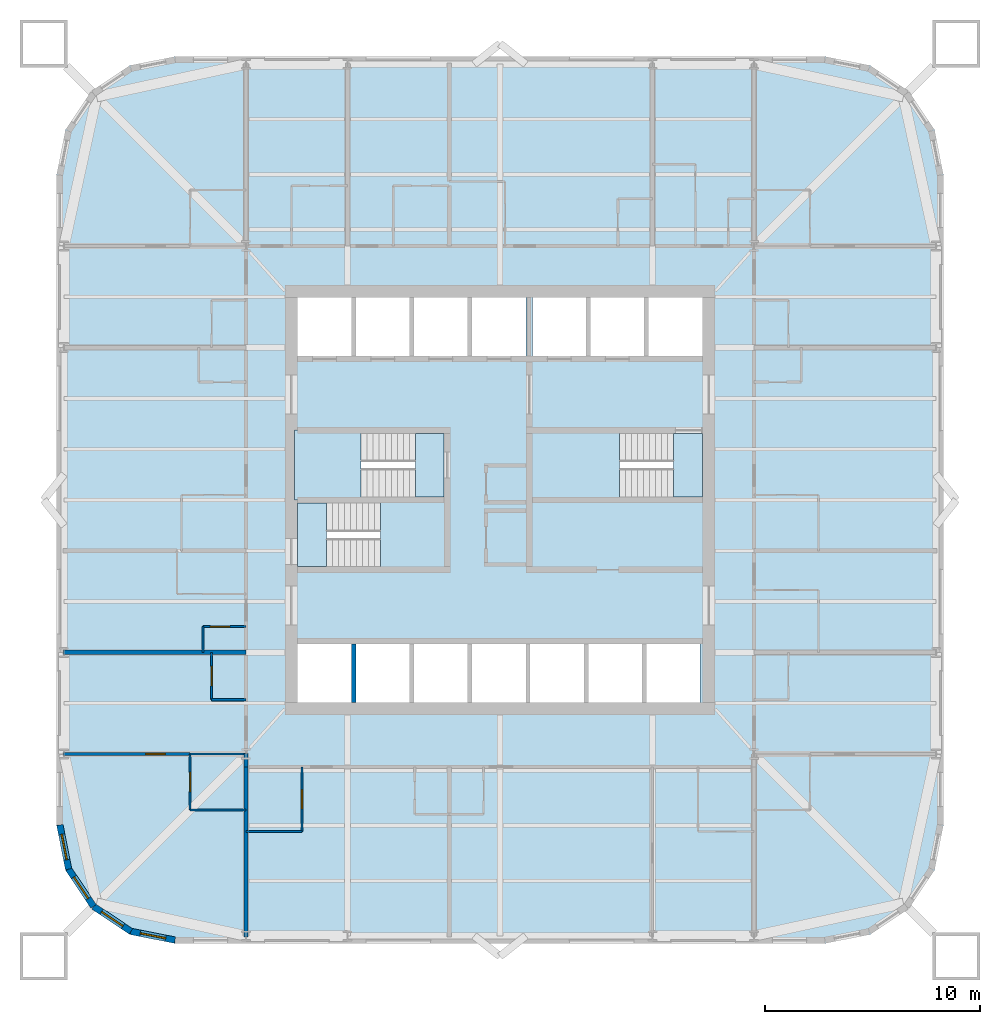
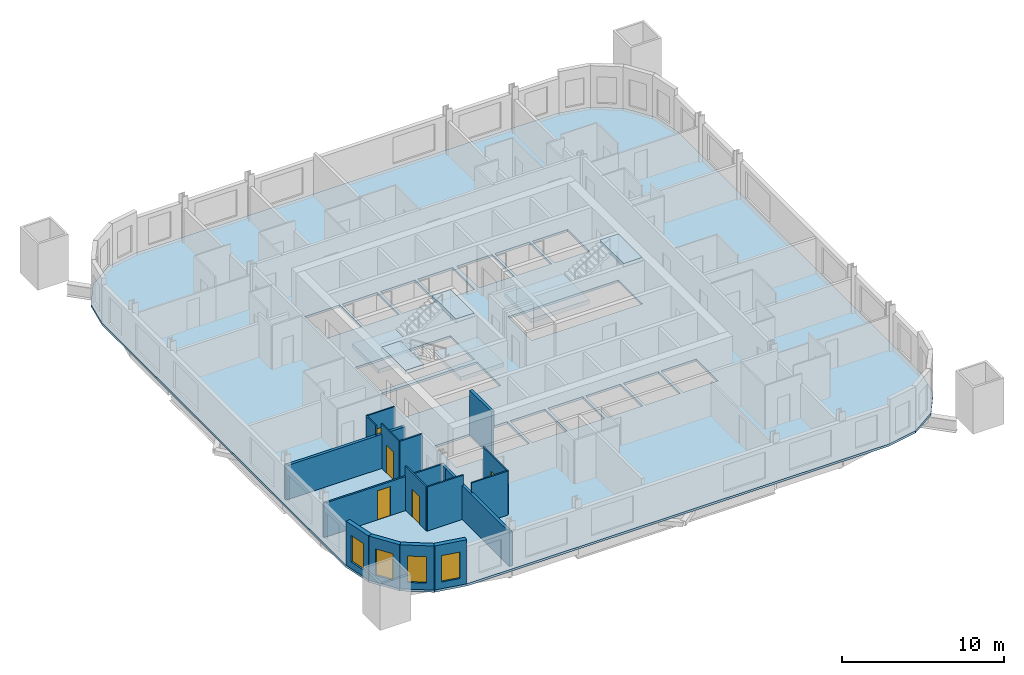
# One storey, part 2 of 9: 18 walls, 7 slabs, 5 doors, 4 windows, 9 openings, 3 elements without a shape of their own.
"""IFC4 building model written with IfcOpenShell, lengths in metres."""

from ifc_helpers import new_model, si_unit, direction, frame, frame_2d, origin, place, context, subcontext, project, spatial, polyline, rectangle, outline, extrude, material, layer, layer_set, type_object, element, fill, aggregate, save


model = new_model("IFC4")

# Units and contexts
model_context = context("Model", 3, precision=1e-05, world=origin(), true_north=direction((0.0, 1.0)))
body_context = subcontext(model_context, "Body", "Model", "MODEL_VIEW")
ifc_project = project(units=[si_unit("LENGTHUNIT", "METRE"), si_unit("AREAUNIT", "SQUARE_METRE"), si_unit("VOLUMEUNIT", "CUBIC_METRE"), si_unit("PLANEANGLEUNIT", "RADIAN"), si_unit("MASSUNIT", "GRAM", prefix="KILO")], contexts=[model_context])

# Site, building, storey
site_placement = place(None, origin())
site = spatial("IfcSite", under=ifc_project, at=site_placement, CompositionType="ELEMENT")
building_placement = place(site_placement, origin())
building = spatial("IfcBuilding", under=site, at=building_placement, Name="Turquesa Mirador Hotel Tower", CompositionType="ELEMENT")
storey_placement = place(building_placement, frame((0.0, 0.0, 124.89990234375)))
storey = spatial("IfcBuildingStorey", under=building, at=storey_placement, Name="L33", CompositionType="ELEMENT", Elevation=124.89990234375)

# Slab
ifc_material_1 = material(Name="Concrete C28/35", Category="concrete")
ifc_layer_1 = layer(ifc_material_1, 0.169921875)
ifc_layer_set_1 = layer_set([ifc_layer_1], Name="COMPOSITE FLOOR SLAB 170")
slab_type_1 = type_object("IfcSlabType", Name="COMPOSITE FLOOR SLAB 170", PredefinedType="FLOOR", material=ifc_layer_set_1)
slab_1_placement = place(storey_placement, frame((0.0, 0.0, -0.169921875)))
element("IfcSlab", 1, at=slab_1_placement, inside=storey, type_object=slab_type_1, Name="Floor slab L33", PredefinedType="FLOOR", context=body_context, shape_type="SweptSolid", body=[
    extrude(outline(polyline([(70.10009765625, 24.39990234375), (72.204833984375, 24.818603515625), (73.989013671875, 26.010986328125), (75.181396484375, 27.795166015625), (75.60009765625, 29.89990234375), (75.60009765625, 60.10009765625), (75.181396484375, 62.204833984375), (73.989013671875, 63.989013671875), (72.204833984375, 65.181396484375), (70.10009765625, 65.60009765625), (39.89990234375, 65.60009765625), (37.795166015625, 65.181396484375), (36.010986328125, 63.989013671875), (34.818603515625, 62.204833984375), (34.39990234375, 60.10009765625), (34.39990234375, 29.89990234375), (34.818603515625, 27.795166015625), (36.010986328125, 26.010986328125), (37.795166015625, 24.818603515625), (39.89990234375, 24.39990234375), (70.10009765625, 24.39990234375)]), holes=[polyline([(45.60009765625, 51.699951171875), (48.10009765625, 51.699951171875), (48.10009765625, 54.39990234375), (45.60009765625, 54.39990234375), (45.60009765625, 51.699951171875)]), polyline([(48.300048828125, 51.699951171875), (50.800048828125, 51.699951171875), (50.800048828125, 54.39990234375), (48.300048828125, 54.39990234375), (48.300048828125, 51.699951171875)]), polyline([(51.0, 51.699951171875), (53.5, 51.699951171875), (53.5, 54.39990234375), (51.0, 54.39990234375), (51.0, 51.699951171875)]), polyline([(53.699951171875, 51.699951171875), (56.199951171875, 51.699951171875), (56.199951171875, 54.39990234375), (53.699951171875, 54.39990234375), (53.699951171875, 51.699951171875)]), polyline([(56.5, 51.699951171875), (59.0, 51.699951171875), (59.0, 54.39990234375), (56.5, 54.39990234375), (56.5, 51.699951171875)]), polyline([(59.199951171875, 51.699951171875), (61.699951171875, 51.699951171875), (61.699951171875, 54.39990234375), (59.199951171875, 54.39990234375), (59.199951171875, 51.699951171875)]), polyline([(45.60009765625, 35.60009765625), (48.10009765625, 35.60009765625), (48.10009765625, 38.300048828125), (45.60009765625, 38.300048828125), (45.60009765625, 35.60009765625)]), polyline([(48.300048828125, 35.60009765625), (50.800048828125, 35.60009765625), (50.800048828125, 38.300048828125), (48.300048828125, 38.300048828125), (48.300048828125, 35.60009765625)]), polyline([(51.0, 35.60009765625), (53.5, 35.60009765625), (53.5, 38.300048828125), (51.0, 38.300048828125), (51.0, 35.60009765625)]), polyline([(53.699951171875, 35.60009765625), (56.199951171875, 35.60009765625), (56.199951171875, 38.300048828125), (53.699951171875, 38.300048828125), (53.699951171875, 35.60009765625)]), polyline([(56.39990234375, 35.60009765625), (58.89990234375, 35.60009765625), (58.89990234375, 38.300048828125), (56.39990234375, 38.300048828125), (56.39990234375, 35.60009765625)]), polyline([(59.10009765625, 35.60009765625), (61.60009765625, 35.60009765625), (61.60009765625, 38.300048828125), (59.10009765625, 38.300048828125), (59.10009765625, 35.60009765625)]), polyline([(61.800048828125, 35.60009765625), (64.300048828125, 35.60009765625), (64.300048828125, 38.300048828125), (61.800048828125, 38.300048828125), (61.800048828125, 35.60009765625)]), polyline([(45.60009765625, 45.14990234375), (52.39990234375, 45.14990234375), (52.39990234375, 48.10009765625), (45.60009765625, 48.10009765625), (45.60009765625, 45.14990234375)]), polyline([(45.60009765625, 41.89990234375), (52.39990234375, 41.89990234375), (52.39990234375, 44.85009765625), (45.60009765625, 44.85009765625), (45.60009765625, 41.89990234375)]), polyline([(56.5, 45.14990234375), (64.39990234375, 45.14990234375), (64.39990234375, 48.10009765625), (56.5, 48.10009765625), (56.5, 45.14990234375)]), polyline([(61.89990234375, 51.699951171875), (64.39990234375, 51.699951171875), (64.39990234375, 54.39990234375), (61.89990234375, 54.39990234375), (61.89990234375, 51.699951171875)])]), origin(), (0.0, 0.0, 1.0), 0.169921875),
])

# Stair, slabs
ifc_material_2 = material(Name="Concrete C35/45", Category="concrete")
stair_type = type_object("IfcStairType", Name="ESCAPE STAIR CORE", PredefinedType="HALF_TURN_STAIR", material=ifc_material_2)
stair_1_placement = place(storey_placement, origin())
stair_1 = element("IfcStair", 2, at=stair_1_placement, inside=storey, type_object=stair_type, Name="Stair ST1 L33 to L34", PredefinedType="HALF_TURN_STAIR")
ifc_material_3 = material(Name="Concrete C35/45", Category="concrete")
ifc_layer_2 = layer(ifc_material_3, 0.300048828125)
ifc_layer_set_2 = layer_set([ifc_layer_2], Name="STAIR LANDING 300")
slab_type_2 = type_object("IfcSlabType", Name="STAIR LANDING 300", PredefinedType="LANDING", material=ifc_layer_set_2)
slab_2_placement = place(storey_placement, frame((0.0, 0.0, 1.4501953125)))
slab_2 = element("IfcSlab", 3, at=slab_2_placement, type_object=slab_type_2, Name="ST1 landing 1", PredefinedType="LANDING", context=body_context, shape_type="SweptSolid", body=[
    extrude(outline(polyline([(45.449951171875, 45.0), (48.550048828125, 45.0), (48.550048828125, 48.25), (45.449951171875, 48.25), (45.449951171875, 45.0)])), origin(), (0.0, 0.0, 1.0), 0.2998046875),
])
slab_3_placement = place(storey_placement, frame((0.0, 0.0, 3.2001953125)))
slab_3 = element("IfcSlab", 4, at=slab_3_placement, type_object=slab_type_2, Name="ST1 landing 2", PredefinedType="LANDING", context=body_context, shape_type="SweptSolid", body=[
    extrude(outline(polyline([(51.070068359375, 45.14990234375), (52.39990234375, 45.14990234375), (52.39990234375, 48.10009765625), (51.070068359375, 48.10009765625), (51.070068359375, 45.14990234375)])), origin(), (0.0, 0.0, 1.0), 0.2998046875),
])
aggregate(stair_1, [slab_2, slab_3])

stair_2_placement = place(storey_placement, origin())
stair_2 = element("IfcStair", 5, at=stair_2_placement, inside=storey, type_object=stair_type, Name="Stair ST2 L33 to L34", PredefinedType="HALF_TURN_STAIR")
slab_4_placement = place(storey_placement, frame((0.0, 0.0, 1.4501953125)))
slab_4 = element("IfcSlab", 6, at=slab_4_placement, type_object=slab_type_2, Name="ST2 landing 1", PredefinedType="LANDING", context=body_context, shape_type="SweptSolid", body=[
    extrude(outline(polyline([(52.550048828125, 45.0), (49.449951171875, 45.0), (49.449951171875, 41.75), (52.550048828125, 41.75), (52.550048828125, 45.0)])), origin(), (0.0, 0.0, 1.0), 0.2998046875),
])
slab_5_placement = place(storey_placement, frame((0.0, 0.0, 3.2001953125)))
slab_5 = element("IfcSlab", 7, at=slab_5_placement, type_object=slab_type_2, Name="ST2 landing 2", PredefinedType="LANDING", context=body_context, shape_type="SweptSolid", body=[
    extrude(outline(polyline([(46.929931640625, 44.85009765625), (45.60009765625, 44.85009765625), (45.60009765625, 41.89990234375), (46.929931640625, 41.89990234375), (46.929931640625, 44.85009765625)])), origin(), (0.0, 0.0, 1.0), 0.2998046875),
])
aggregate(stair_2, [slab_4, slab_5])

stair_3_placement = place(storey_placement, origin())
stair_3 = element("IfcStair", 8, at=stair_3_placement, inside=storey, type_object=stair_type, Name="Stair ST3 L33 to L34", PredefinedType="HALF_TURN_STAIR")
slab_6_placement = place(storey_placement, frame((0.0, 0.0, 1.4501953125)))
slab_6 = element("IfcSlab", 9, at=slab_6_placement, type_object=slab_type_2, Name="ST3 landing 1", PredefinedType="LANDING", context=body_context, shape_type="SweptSolid", body=[
    extrude(outline(polyline([(56.35009765625, 45.0), (60.550048828125, 45.0), (60.550048828125, 48.25), (56.35009765625, 48.25), (56.35009765625, 45.0)])), origin(), (0.0, 0.0, 1.0), 0.2998046875),
])
slab_7_placement = place(storey_placement, frame((0.0, 0.0, 3.2001953125)))
slab_7 = element("IfcSlab", 10, at=slab_7_placement, type_object=slab_type_2, Name="ST3 landing 2", PredefinedType="LANDING", context=body_context, shape_type="SweptSolid", body=[
    extrude(outline(polyline([(63.070068359375, 45.14990234375), (64.39990234375, 45.14990234375), (64.39990234375, 48.10009765625), (63.070068359375, 48.10009765625), (63.070068359375, 45.14990234375)])), origin(), (0.0, 0.0, 1.0), 0.2998046875),
])
aggregate(stair_3, [slab_6, slab_7])

# Walls
ifc_material_4 = material(Name="Gypsum board on steel studs", Category="steel")
ifc_layer_3 = layer(ifc_material_4, 0.10009765625)
ifc_layer_set_3 = layer_set([ifc_layer_3], Name="BATHROOM WALL 100")
wall_type_1 = type_object("IfcWallType", Name="BATHROOM WALL 100", PredefinedType="PARTITIONING", material=ifc_layer_set_3)
wall_1_placement = place(storey_placement, frame((40.60009765625, 33.199951171875, 0.0), z_axis=(0.0, 0.0, 1.0), x_axis=(1.0, 0.0, 0.0)))
element("IfcWall", 11, at=wall_1_placement, inside=storey, type_object=wall_type_1, Name="Partition L33 001", PredefinedType="PARTITIONING", context=body_context, shape_type="SweptSolid", body=[
    extrude(rectangle(XDim=2.599853515625, YDim=0.10009765625, at=frame_2d((1.2998046875, 0.0))), origin(), (0.0, 0.0, 1.0), 2.5732421875),
])
wall_2_placement = place(storey_placement, frame((40.60009765625, 30.60009765625, 0.0), z_axis=(0.0, 0.0, 1.0), x_axis=(1.0, 0.0, 0.0)))
element("IfcWall", 12, at=wall_2_placement, inside=storey, type_object=wall_type_1, Name="Partition L33 006", PredefinedType="PARTITIONING", context=body_context, shape_type="SweptSolid", body=[
    extrude(rectangle(XDim=2.599853515625, YDim=0.10009765625, at=frame_2d((1.2998046875, 0.0))), origin(), (0.0, 0.0, 1.0), 3.330078125),
])
wall_3_placement = place(storey_placement, frame((43.199951171875, 29.60009765625, 0.0), z_axis=(0.0, 0.0, 1.0), x_axis=(1.0, 0.0, 0.0)))
element("IfcWall", 13, at=wall_3_placement, inside=storey, type_object=wall_type_1, Name="Partition L33 010", PredefinedType="PARTITIONING", context=body_context, shape_type="SweptSolid", body=[
    extrude(rectangle(XDim=2.60009765625, YDim=0.10009765625, at=frame_2d((1.300048828125, 0.0))), origin(), (0.0, 0.0, 1.0), 3.330078125),
])

# Wall, opening, door
wall_4_placement = place(storey_placement, frame((41.199951171875, 39.1201171875, 0.0), z_axis=(0.0, 0.0, 1.0), x_axis=(1.0, 0.0, 0.0)))
wall_4 = element("IfcWall", 14, at=wall_4_placement, inside=storey, type_object=wall_type_1, Name="Partition L33 017", PredefinedType="PARTITIONING", context=body_context, shape_type="SweptSolid", body=[
    extrude(rectangle(XDim=2.0, YDim=0.10009765625, at=frame_2d((1.0, 0.0))), origin(), (0.0, 0.0, 1.0), 3.330078125),
])
opening_1_placement = place(wall_4_placement, frame((0.35009765625, 0.0, 0.0)))
opening_1 = element("IfcOpeningElement", 15, at=opening_1_placement, cuts=wall_4, Name="Opening D06", PredefinedType="OPENING", context=body_context, shape_type="SweptSolid", body=[
    extrude(rectangle(XDim=0.89990234375, YDim=2.10009765625, at=frame_2d((0.449951171875, 1.050048828125))), frame((0.0, 0.06005859375, 0.0), z_axis=(0.0, -1.0, 0.0), x_axis=(1.0, 0.0, 0.0)), (0.0, 0.0, 1.0), 0.1201171875),
])
ifc_material_5 = material(Name="Laminate door", Category="wood")
door_type_1 = type_object("IfcDoorType", Name="DOOR 900X2100 WC", OperationType="SINGLE_SWING_LEFT", PredefinedType="DOOR", material=ifc_material_5)
door_1_placement = place(opening_1_placement, origin())
door_1 = element("IfcDoor", 16, at=door_1_placement, inside=storey, type_object=door_type_1, Name="Door 3309W", OperationType="SINGLE_SWING_LEFT", OverallHeight=2.10009765625, OverallWidth=0.89990234375, PredefinedType="DOOR", context=body_context, shape_type="SweptSolid", body=[
    extrude(rectangle(XDim=0.89990234375, YDim=2.10009765625, at=frame_2d((0.449951171875, 1.050048828125))), frame((0.0, 0.02490234375, 0.0), z_axis=(0.0, -1.0, 0.0), x_axis=(1.0, 0.0, 0.0)), (0.0, 0.0, 1.0), 0.050048828125),
])
fill(opening_1, door_1)

# Wall
wall_5_placement = place(storey_placement, frame((41.60009765625, 35.719970703125, 0.0), z_axis=(0.0, 0.0, 1.0), x_axis=(1.0, 0.0, 0.0)))
element("IfcWall", 17, at=wall_5_placement, inside=storey, type_object=wall_type_1, Name="Partition L33 020", PredefinedType="PARTITIONING", context=body_context, shape_type="SweptSolid", body=[
    extrude(rectangle(XDim=1.599853515625, YDim=0.10009765625, at=frame_2d((0.7998046875, 0.0))), origin(), (0.0, 0.0, 1.0), 3.330078125),
])

# Wall, opening, door
wall_6_placement = place(storey_placement, frame((41.60009765625, 35.719970703125, 0.0), z_axis=(0.0, 0.0, 1.0), x_axis=(0.0, 1.0, 0.0)))
wall_6 = element("IfcWall", 18, at=wall_6_placement, inside=storey, type_object=wall_type_1, Name="Partition L33 047", PredefinedType="PARTITIONING", context=body_context, shape_type="SweptSolid", body=[
    extrude(rectangle(XDim=2.199951171875, YDim=0.10009765625, at=frame_2d((1.10009765625, 0.0))), origin(), (0.0, 0.0, 1.0), 3.330078125),
])
opening_2_placement = place(wall_6_placement, frame((0.64990234375, 0.0, 0.0)))
opening_2 = element("IfcOpeningElement", 19, at=opening_2_placement, cuts=wall_6, Name="Opening D06", PredefinedType="OPENING", context=body_context, shape_type="SweptSolid", body=[
    extrude(rectangle(XDim=0.89990234375, YDim=2.10009765625, at=frame_2d((0.449951171875, 1.050048828125))), frame((0.0, 0.06005859375, 0.0), z_axis=(0.0, -1.0, 0.0), x_axis=(1.0, 0.0, 0.0)), (0.0, 0.0, 1.0), 0.1201171875),
])
door_2_placement = place(opening_2_placement, origin())
door_2 = element("IfcDoor", 20, at=door_2_placement, inside=storey, type_object=door_type_1, Name="Door 3313W", OperationType="SINGLE_SWING_LEFT", OverallHeight=2.10009765625, OverallWidth=0.89990234375, PredefinedType="DOOR", context=body_context, shape_type="SweptSolid", body=[
    extrude(rectangle(XDim=0.89990234375, YDim=2.10009765625, at=frame_2d((0.449951171875, 1.050048828125))), frame((0.0, 0.02490234375, 0.0), z_axis=(0.0, -1.0, 0.0), x_axis=(1.0, 0.0, 0.0)), (0.0, 0.0, 1.0), 0.050048828125),
])
fill(opening_2, door_2)

# Wall
wall_7_placement = place(storey_placement, frame((41.199951171875, 37.919921875, 0.0), z_axis=(0.0, 0.0, 1.0), x_axis=(0.0, 1.0, 0.0)))
element("IfcWall", 21, at=wall_7_placement, inside=storey, type_object=wall_type_1, Name="Partition L33 049", PredefinedType="PARTITIONING", context=body_context, shape_type="SweptSolid", body=[
    extrude(rectangle(XDim=1.2001953125, YDim=0.10009765625, at=frame_2d((0.60009765625, 0.0))), origin(), (0.0, 0.0, 1.0), 3.330078125),
])

# Wall, opening, door
wall_8_placement = place(storey_placement, frame((40.60009765625, 30.60009765625, 0.0), z_axis=(0.0, 0.0, 1.0), x_axis=(0.0, 1.0, 0.0)))
wall_8 = element("IfcWall", 22, at=wall_8_placement, inside=storey, type_object=wall_type_1, Name="Partition L33 051", PredefinedType="PARTITIONING", context=body_context, shape_type="SweptSolid", body=[
    extrude(rectangle(XDim=2.599853515625, YDim=0.10009765625, at=frame_2d((1.2998046875, 0.0))), origin(), (0.0, 0.0, 1.0), 3.330078125),
])
opening_3_placement = place(wall_8_placement, frame((0.85009765625, 0.0, 0.0)))
opening_3 = element("IfcOpeningElement", 23, at=opening_3_placement, cuts=wall_8, Name="Opening D02", PredefinedType="OPENING", context=body_context, shape_type="SweptSolid", body=[
    extrude(rectangle(XDim=0.89990234375, YDim=2.10009765625, at=frame_2d((0.449951171875, 1.050048828125))), frame((0.0, 0.06005859375, 0.0), z_axis=(0.0, -1.0, 0.0), x_axis=(1.0, 0.0, 0.0)), (0.0, 0.0, 1.0), 0.1201171875),
])
ifc_material_6 = material(Name="Timber veneered door", Category="wood")
door_type_2 = type_object("IfcDoorType", Name="DOOR 900X2100 EN-SUITE", OperationType="SINGLE_SWING_RIGHT", PredefinedType="DOOR", material=ifc_material_6)
door_3_placement = place(opening_3_placement, origin())
door_3 = element("IfcDoor", 24, at=door_3_placement, inside=storey, type_object=door_type_2, Name="Door 3313B", OperationType="SINGLE_SWING_RIGHT", OverallHeight=2.10009765625, OverallWidth=0.89990234375, PredefinedType="DOOR", context=body_context, shape_type="SweptSolid", body=[
    extrude(rectangle(XDim=0.89990234375, YDim=2.10009765625, at=frame_2d((0.449951171875, 1.050048828125))), frame((0.0, 0.02490234375, 0.0), z_axis=(0.0, -1.0, 0.0), x_axis=(1.0, 0.0, 0.0)), (0.0, 0.0, 1.0), 0.050048828125),
])
fill(opening_3, door_3)

wall_9_placement = place(storey_placement, frame((45.800048828125, 29.60009765625, 0.0), z_axis=(0.0, 0.0, 1.0), x_axis=(0.0, 1.0, 0.0)))
wall_9 = element("IfcWall", 25, at=wall_9_placement, inside=storey, type_object=wall_type_1, Name="Partition L33 061", PredefinedType="PARTITIONING", context=body_context, shape_type="SweptSolid", body=[
    extrude(rectangle(XDim=3.0, YDim=0.10009765625, at=frame_2d((1.5, 0.0))), origin(), (0.0, 0.0, 1.0), 3.330078125),
])
opening_4_placement = place(wall_9_placement, frame((1.050048828125, 0.0, 0.0)))
opening_4 = element("IfcOpeningElement", 26, at=opening_4_placement, cuts=wall_9, Name="Opening D02", PredefinedType="OPENING", context=body_context, shape_type="SweptSolid", body=[
    extrude(rectangle(XDim=0.89990234375, YDim=2.10009765625, at=frame_2d((0.449951171875, 1.050048828125))), frame((0.0, 0.06005859375, 0.0), z_axis=(0.0, -1.0, 0.0), x_axis=(1.0, 0.0, 0.0)), (0.0, 0.0, 1.0), 0.1201171875),
])
door_4_placement = place(opening_4_placement, origin())
door_4 = element("IfcDoor", 27, at=door_4_placement, inside=storey, type_object=door_type_2, Name="Door 3305B", OperationType="SINGLE_SWING_RIGHT", OverallHeight=2.10009765625, OverallWidth=0.89990234375, PredefinedType="DOOR", context=body_context, shape_type="SweptSolid", body=[
    extrude(rectangle(XDim=0.89990234375, YDim=2.10009765625, at=frame_2d((0.449951171875, 1.050048828125))), frame((0.0, 0.02490234375, 0.0), z_axis=(0.0, -1.0, 0.0), x_axis=(1.0, 0.0, 0.0)), (0.0, 0.0, 1.0), 0.050048828125),
])
fill(opening_4, door_4)

# Wall
ifc_material_7 = material(Name="Fire-rated gypsum board on steel studs", Category="steel")
ifc_layer_4 = layer(ifc_material_7, 0.199951171875)
ifc_layer_set_4 = layer_set([ifc_layer_4], Name="CORRIDOR WALL 200")
wall_type_2 = type_object("IfcWallType", Name="CORRIDOR WALL 200", PredefinedType="PARTITIONING", material=ifc_layer_set_4)
wall_10_placement = place(storey_placement, frame((43.199951171875, 32.60009765625, 0.0), z_axis=(0.0, 0.0, 1.0), x_axis=(0.0, 1.0, 0.0)))
element("IfcWall", 28, at=wall_10_placement, inside=storey, type_object=wall_type_2, Name="Partition L33 080", PredefinedType="PARTITIONING", context=body_context, shape_type="SweptSolid", body=[
    extrude(rectangle(XDim=0.619873046875, YDim=0.199951171875, at=frame_2d((0.31005859375, 0.0))), origin(), (0.0, 0.0, 1.0), 2.5732421875),
])

# Wall, opening, window
ifc_material_8 = material(Name="Limestone cladding on concrete block", Category="masonry")
ifc_layer_5 = layer(ifc_material_8, 0.300048828125)
ifc_layer_set_5 = layer_set([ifc_layer_5], Name="FACADE WALL 300 STONE SCREEN")
wall_type_3 = type_object("IfcWallType", Name="FACADE WALL 300 STONE SCREEN", PredefinedType="SOLIDWALL", material=ifc_layer_set_5)
wall_11_placement = place(storey_placement, frame((34.550048828125, 29.89990234375, 0.0), z_axis=(0.0, 0.0, 1.0), x_axis=(0.195081421501, -0.980787050784, 0.0)))
wall_11 = element("IfcWall", 29, at=wall_11_placement, inside=storey, type_object=wall_type_3, Name="Facade wall L33 15", PredefinedType="SOLIDWALL", context=body_context, shape_type="SweptSolid", body=[
    extrude(rectangle(XDim=2.08740234375, YDim=0.300048828125, at=frame_2d((1.043701171875, 0.0))), origin(), (0.0, 0.0, 1.0), 3.330078125),
])
opening_5_placement = place(wall_11_placement, frame((0.443603515625, 0.0, 0.5)))
opening_5 = element("IfcOpeningElement", 30, at=opening_5_placement, cuts=wall_11, Name="Opening WN4", PredefinedType="OPENING", context=body_context, shape_type="SweptSolid", body=[
    extrude(rectangle(XDim=1.199951171875, YDim=2.0, at=frame_2d((0.60009765625, 1.0))), frame((0.0, 0.159912109375, 0.0), z_axis=(0.0, -1.0, 0.0), x_axis=(1.0, 0.0, 0.0)), (0.0, 0.0, 1.0), 0.320068359375),
])
ifc_material_9 = material(Name="Ceramic-fritted laminated glass", Category="glass")
window_type = type_object("IfcWindowType", Name="FRITTED CORNER WINDOW 1200X2000", PartitioningType="DOUBLE_PANEL_HORIZONTAL", PredefinedType="WINDOW", material=ifc_material_9)
window_1_placement = place(opening_5_placement, origin())
window_1 = element("IfcWindow", 31, at=window_1_placement, inside=storey, type_object=window_type, Name="Window L33", OverallHeight=2.0, OverallWidth=1.199951171875, PartitioningType="SINGLE_PANEL", PredefinedType="WINDOW", context=body_context, shape_type="SweptSolid", body=[
    extrude(rectangle(XDim=1.199951171875, YDim=2.0, at=frame_2d((0.60009765625, 1.0))), frame((0.0, 0.030029296875, 0.0), z_axis=(0.0, -1.0, 0.0), x_axis=(1.0, 0.0, 0.0)), (0.0, 0.0, 1.0), 0.06005859375),
])
fill(opening_5, window_1)

wall_12_placement = place(storey_placement, frame((34.957275390625, 27.8525390625, 0.0), z_axis=(0.0, 0.0, 1.0), x_axis=(0.555563607591, -0.831474039234, 0.0)))
wall_12 = element("IfcWall", 32, at=wall_12_placement, inside=storey, type_object=wall_type_3, Name="Facade wall L33 16", PredefinedType="SOLIDWALL", context=body_context, shape_type="SweptSolid", body=[
    extrude(rectangle(XDim=2.08740234375, YDim=0.300048828125, at=frame_2d((1.043701171875, 0.0))), origin(), (0.0, 0.0, 1.0), 3.330078125),
])
opening_6_placement = place(wall_12_placement, frame((0.443603515625, 0.0, 0.5)))
opening_6 = element("IfcOpeningElement", 33, at=opening_6_placement, cuts=wall_12, Name="Opening WN4", PredefinedType="OPENING", context=body_context, shape_type="SweptSolid", body=[
    extrude(rectangle(XDim=1.199951171875, YDim=2.0, at=frame_2d((0.60009765625, 1.0))), frame((0.0, 0.159912109375, 0.0), z_axis=(0.0, -1.0, 0.0), x_axis=(1.0, 0.0, 0.0)), (0.0, 0.0, 1.0), 0.320068359375),
])
window_2_placement = place(opening_6_placement, origin())
window_2 = element("IfcWindow", 34, at=window_2_placement, inside=storey, type_object=window_type, Name="Window L33", OverallHeight=2.0, OverallWidth=1.199951171875, PartitioningType="SINGLE_PANEL", PredefinedType="WINDOW", context=body_context, shape_type="SweptSolid", body=[
    extrude(rectangle(XDim=1.199951171875, YDim=2.0, at=frame_2d((0.60009765625, 1.0))), frame((0.0, 0.030029296875, 0.0), z_axis=(0.0, -1.0, 0.0), x_axis=(1.0, 0.0, 0.0)), (0.0, 0.0, 1.0), 0.06005859375),
])
fill(opening_6, window_2)

wall_13_placement = place(storey_placement, frame((36.116943359375, 26.116943359375, 0.0), z_axis=(0.0, 0.0, 1.0), x_axis=(0.831474039234, -0.555563607591, 0.0)))
wall_13 = element("IfcWall", 35, at=wall_13_placement, inside=storey, type_object=wall_type_3, Name="Facade wall L33 17", PredefinedType="SOLIDWALL", context=body_context, shape_type="SweptSolid", body=[
    extrude(rectangle(XDim=2.08740234375, YDim=0.300048828125, at=frame_2d((1.043701171875, 0.0))), origin(), (0.0, 0.0, 1.0), 3.330078125),
])
opening_7_placement = place(wall_13_placement, frame((0.443603515625, 0.0, 0.5)))
opening_7 = element("IfcOpeningElement", 36, at=opening_7_placement, cuts=wall_13, Name="Opening WN4", PredefinedType="OPENING", context=body_context, shape_type="SweptSolid", body=[
    extrude(rectangle(XDim=1.199951171875, YDim=2.0, at=frame_2d((0.60009765625, 1.0))), frame((0.0, 0.159912109375, 0.0), z_axis=(0.0, -1.0, 0.0), x_axis=(1.0, 0.0, 0.0)), (0.0, 0.0, 1.0), 0.320068359375),
])
window_3_placement = place(opening_7_placement, origin())
window_3 = element("IfcWindow", 37, at=window_3_placement, inside=storey, type_object=window_type, Name="Window L33", OverallHeight=2.0, OverallWidth=1.199951171875, PartitioningType="SINGLE_PANEL", PredefinedType="WINDOW", context=body_context, shape_type="SweptSolid", body=[
    extrude(rectangle(XDim=1.199951171875, YDim=2.0, at=frame_2d((0.60009765625, 1.0))), frame((0.0, 0.030029296875, 0.0), z_axis=(0.0, -1.0, 0.0), x_axis=(1.0, 0.0, 0.0)), (0.0, 0.0, 1.0), 0.06005859375),
])
fill(opening_7, window_3)

wall_14_placement = place(storey_placement, frame((37.8525390625, 24.957275390625, 0.0), z_axis=(0.0, 0.0, 1.0), x_axis=(0.980787050784, -0.195081421501, 0.0)))
wall_14 = element("IfcWall", 38, at=wall_14_placement, inside=storey, type_object=wall_type_3, Name="Facade wall L33 18", PredefinedType="SOLIDWALL", context=body_context, shape_type="SweptSolid", body=[
    extrude(rectangle(XDim=2.08740234375, YDim=0.300048828125, at=frame_2d((1.043701171875, 0.0))), origin(), (0.0, 0.0, 1.0), 3.330078125),
])
opening_8_placement = place(wall_14_placement, frame((0.443603515625, 0.0, 0.5)))
opening_8 = element("IfcOpeningElement", 39, at=opening_8_placement, cuts=wall_14, Name="Opening WN4", PredefinedType="OPENING", context=body_context, shape_type="SweptSolid", body=[
    extrude(rectangle(XDim=1.199951171875, YDim=2.0, at=frame_2d((0.60009765625, 1.0))), frame((0.0, 0.159912109375, 0.0), z_axis=(0.0, -1.0, 0.0), x_axis=(1.0, 0.0, 0.0)), (0.0, 0.0, 1.0), 0.320068359375),
])
window_4_placement = place(opening_8_placement, origin())
window_4 = element("IfcWindow", 40, at=window_4_placement, inside=storey, type_object=window_type, Name="Window L33", OverallHeight=2.0, OverallWidth=1.199951171875, PartitioningType="SINGLE_PANEL", PredefinedType="WINDOW", context=body_context, shape_type="SweptSolid", body=[
    extrude(rectangle(XDim=1.199951171875, YDim=2.0, at=frame_2d((0.60009765625, 1.0))), frame((0.0, 0.030029296875, 0.0), z_axis=(0.0, -1.0, 0.0), x_axis=(1.0, 0.0, 0.0)), (0.0, 0.0, 1.0), 0.06005859375),
])
fill(opening_8, window_4)

# Walls
ifc_material_10 = material(Name="Fire-rated gypsum shaft wall on steel studs", Category="steel")
ifc_layer_6 = layer(ifc_material_10, 0.199951171875)
ifc_layer_set_6 = layer_set([ifc_layer_6], Name="LIFT SHAFT DIVIDER 200")
wall_type_4 = type_object("IfcWallType", Name="LIFT SHAFT DIVIDER 200", PredefinedType="PARTITIONING", material=ifc_layer_set_6)
wall_15_placement = place(storey_placement, frame((48.199951171875, 35.60009765625, 0.0), z_axis=(0.0, 0.0, 1.0), x_axis=(0.0, 1.0, 0.0)))
element("IfcWall", 41, at=wall_15_placement, inside=storey, type_object=wall_type_4, Name="Lift shaft divider", PredefinedType="PARTITIONING", context=body_context, shape_type="SweptSolid", body=[
    extrude(rectangle(XDim=2.699951171875, YDim=0.199951171875, at=frame_2d((1.35009765625, 0.0))), origin(), (0.0, 0.0, 1.0), 3.330078125),
])
ifc_material_11 = material(Name="Fire-rated gypsum board on steel studs", Category="steel")
ifc_layer_7 = layer(ifc_material_11, 0.199951171875)
ifc_layer_set_7 = layer_set([ifc_layer_7], Name="PARTY WALL 200")
wall_type_5 = type_object("IfcWallType", Name="PARTY WALL 200", PredefinedType="PARTITIONING", material=ifc_layer_set_7)
wall_16_placement = place(storey_placement, frame((34.699951171875, 37.919921875, 0.0), z_axis=(0.0, 0.0, 1.0), x_axis=(1.0, 0.0, 0.0)))
element("IfcWall", 42, at=wall_16_placement, inside=storey, type_object=wall_type_5, Name="Partition L33 018", PredefinedType="PARTITIONING", context=body_context, shape_type="SweptSolid", body=[
    extrude(rectangle(XDim=8.5, YDim=0.199951171875, at=frame_2d((4.25, 0.0))), origin(), (0.0, 0.0, 1.0), 2.5732421875),
])
wall_17_placement = place(storey_placement, frame((43.199951171875, 24.699951171875, 0.0), z_axis=(0.0, 0.0, 1.0), x_axis=(0.0, 1.0, 0.0)))
element("IfcWall", 43, at=wall_17_placement, inside=storey, type_object=wall_type_5, Name="Partition L33 045", PredefinedType="PARTITIONING", context=body_context, shape_type="SweptSolid", body=[
    extrude(rectangle(XDim=7.900146484375, YDim=0.199951171875, at=frame_2d((3.9501953125, 0.0))), origin(), (0.0, 0.0, 1.0), 2.5732421875),
])

# Wall, opening, door
ifc_material_12 = material(Name="Acoustic gypsum board on steel studs", Category="steel")
ifc_layer_8 = layer(ifc_material_12, 0.125)
ifc_layer_set_8 = layer_set([ifc_layer_8], Name="SUITE PARTITION 125")
wall_type_6 = type_object("IfcWallType", Name="SUITE PARTITION 125", PredefinedType="PARTITIONING", material=ifc_layer_set_8)
wall_18_placement = place(storey_placement, frame((34.699951171875, 33.199951171875, 0.0), z_axis=(0.0, 0.0, 1.0), x_axis=(1.0, 0.0, 0.0)))
wall_18 = element("IfcWall", 44, at=wall_18_placement, inside=storey, type_object=wall_type_6, Name="Partition L33 003", PredefinedType="PARTITIONING", context=body_context, shape_type="SweptSolid", body=[
    extrude(rectangle(XDim=5.900146484375, YDim=0.125, at=frame_2d((2.9501953125, 0.0))), origin(), (0.0, 0.0, 1.0), 2.5732421875),
])
opening_9_placement = place(wall_18_placement, frame((3.85009765625, 0.0, 0.0)))
opening_9 = element("IfcOpeningElement", 45, at=opening_9_placement, cuts=wall_18, Name="Opening D17", PredefinedType="OPENING", context=body_context, shape_type="SweptSolid", body=[
    extrude(rectangle(XDim=0.89990234375, YDim=2.199951171875, at=frame_2d((0.449951171875, 1.10009765625))), frame((0.0, 0.072509765625, 0.0), z_axis=(0.0, -1.0, 0.0), x_axis=(1.0, 0.0, 0.0)), (0.0, 0.0, 1.0), 0.14501953125),
])
ifc_material_13 = material(Name="Timber veneered door", Category="wood")
door_type_3 = type_object("IfcDoorType", Name="DOOR 900X2200 SUITE INTERNAL", OperationType="SINGLE_SWING_LEFT", PredefinedType="DOOR", material=ifc_material_13)
door_5_placement = place(opening_9_placement, origin())
door_5 = element("IfcDoor", 46, at=door_5_placement, inside=storey, type_object=door_type_3, Name="Door 3313R", OperationType="SINGLE_SWING_LEFT", OverallHeight=2.199951171875, OverallWidth=0.89990234375, PredefinedType="DOOR", context=body_context, shape_type="SweptSolid", body=[
    extrude(rectangle(XDim=0.89990234375, YDim=2.199951171875, at=frame_2d((0.449951171875, 1.10009765625))), frame((0.0, 0.02490234375, 0.0), z_axis=(0.0, -1.0, 0.0), x_axis=(1.0, 0.0, 0.0)), (0.0, 0.0, 1.0), 0.050048828125),
])
fill(opening_9, door_5)

save(model, "model.ifc")
